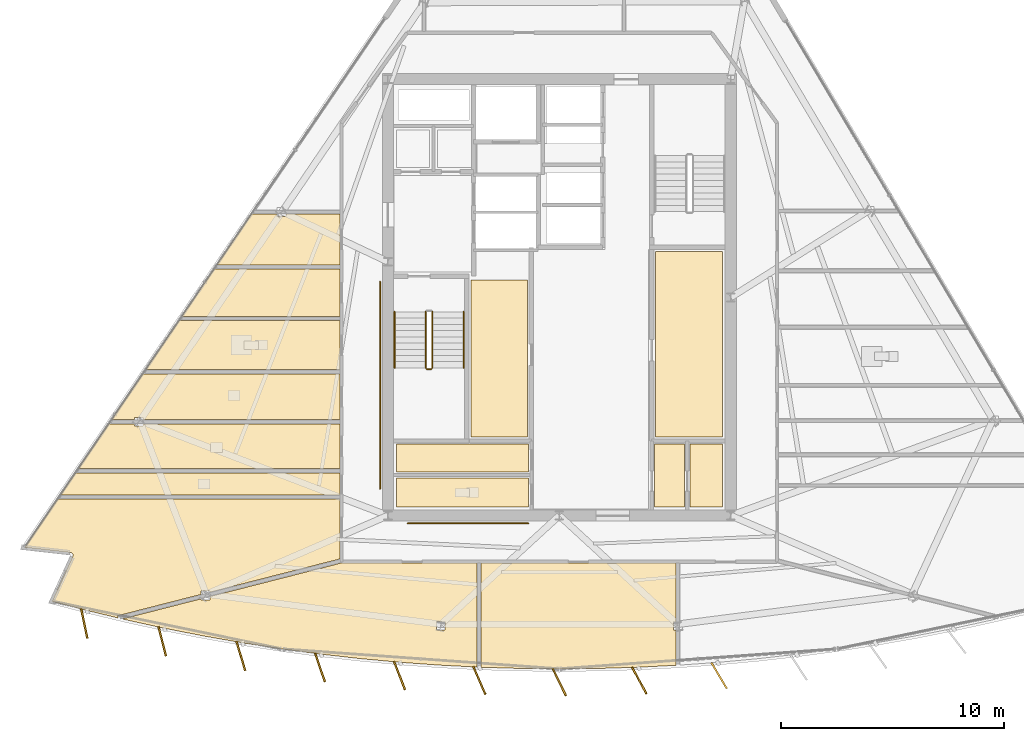
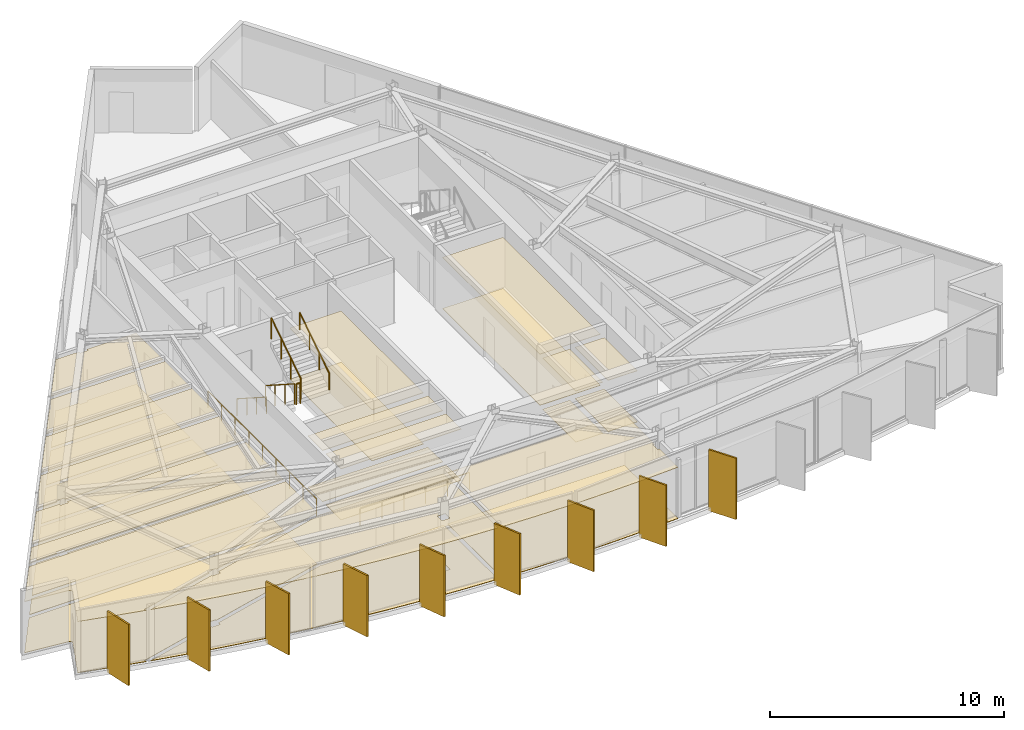
# One storey, part 10 of 13: 30 coverings, 9 shading devices, 7 railings.
"""IFC4 building model written with IfcOpenShell, lengths in metres."""

from ifc_helpers import new_model, si_unit, direction, frame, origin, origin_2d, place, context, subcontext, project, spatial, polyline, rectangle, circle, outline, extrude, material, layer, layer_set, type_object, element, save


model = new_model("IFC4")

# Units and contexts
model_context = context("Model", 3, precision=1e-05, world=origin(), true_north=direction((0.0, 1.0)))
body_context = subcontext(model_context, "Body", "Model", "MODEL_VIEW")
ifc_project = project(units=[si_unit("LENGTHUNIT", "METRE"), si_unit("AREAUNIT", "SQUARE_METRE"), si_unit("VOLUMEUNIT", "CUBIC_METRE"), si_unit("PLANEANGLEUNIT", "RADIAN"), si_unit("MASSUNIT", "GRAM", prefix="KILO")], contexts=[model_context])

# Site, building, storey
site_placement = place(None, origin())
site = spatial("IfcSite", under=ifc_project, at=site_placement, CompositionType="ELEMENT")
building_placement = place(site_placement, origin())
building = spatial("IfcBuilding", under=site, at=building_placement, Name="Savorim Split Tower", CompositionType="ELEMENT")
storey_placement = place(building_placement, frame((0.0, 0.0, 250.800048828125)))
storey = spatial("IfcBuildingStorey", under=building, at=storey_placement, Name="L66", CompositionType="ELEMENT", Elevation=250.800048828125)

# Coverings
ifc_material_1 = material(Name="Mineral Fibre Acoustic Ceiling")
ifc_layer_1 = layer(ifc_material_1, 0.02490234375)
ifc_layer_set_1 = layer_set([ifc_layer_1], Name="COV-CEIL-25")
covering_type_1 = type_object("IfcCoveringType", Name="COV-CEIL-25", PredefinedType="CEILING", material=ifc_layer_set_1)
covering_1_placement = place(storey_placement, frame((0.0, 0.0, 2.669921875)))
element("IfcCovering", 1, at=covering_1_placement, inside=storey, type_object=covering_type_1, Name="L66 Shared Pantry and Linen Room Acoustic Ceiling", PredefinedType="CEILING", context=body_context, shape_type="SweptSolid", body=[
    extrude(outline(polyline([(4.330078125, 2.469970703125), (4.330078125, -5.8701171875), (7.320068359375, -5.8701171875), (7.320068359375, 2.469970703125), (4.330078125, 2.469970703125)])), origin(), (0.0, 0.0, 1.0), 0.025146484375),
])
covering_2_placement = place(storey_placement, frame((0.0, 0.0, 2.669921875)))
element("IfcCovering", 2, at=covering_2_placement, inside=storey, type_object=covering_type_1, Name="L66 Housekeeping and Parcel Room Acoustic Ceiling", PredefinedType="CEILING", context=body_context, shape_type="SweptSolid", body=[
    extrude(outline(polyline([(-3.969970703125, 1.169921875), (-3.969970703125, -5.8701171875), (-1.429931640625, -5.8701171875), (-1.429931640625, 1.169921875), (-3.969970703125, 1.169921875)])), origin(), (0.0, 0.0, 1.0), 0.025146484375),
])
covering_3_placement = place(storey_placement, frame((0.0, 0.0, 2.669921875)))
element("IfcCovering", 3, at=covering_3_placement, inside=storey, type_object=covering_type_1, Name="L66 Cleaning Store Acoustic Ceiling", PredefinedType="CEILING", context=body_context, shape_type="SweptSolid", body=[
    extrude(outline(polyline([(-7.320068359375, -6.179931640625), (-7.320068359375, -7.43994140625), (-1.3798828125, -7.43994140625), (-1.3798828125, -6.179931640625), (-7.320068359375, -6.179931640625)])), origin(), (0.0, 0.0, 1.0), 0.025146484375),
])
covering_4_placement = place(storey_placement, frame((0.0, 0.0, 2.669921875)))
element("IfcCovering", 4, at=covering_4_placement, inside=storey, type_object=covering_type_1, Name="L66 Public WC Acoustic Ceiling", PredefinedType="CEILING", context=body_context, shape_type="SweptSolid", body=[
    extrude(outline(polyline([(-7.320068359375, -7.719970703125), (-7.320068359375, -9.02001953125), (-1.3798828125, -9.02001953125), (-1.3798828125, -7.719970703125), (-7.320068359375, -7.719970703125)])), origin(), (0.0, 0.0, 1.0), 0.025146484375),
])
covering_5_placement = place(storey_placement, frame((0.0, 0.0, 2.669921875)))
element("IfcCovering", 5, at=covering_5_placement, inside=storey, type_object=covering_type_1, Name="L66 Vending Pantry Acoustic Ceiling", PredefinedType="CEILING", context=body_context, shape_type="SweptSolid", body=[
    extrude(outline(polyline([(4.280029296875, -6.179931640625), (4.280029296875, -9.02001953125), (5.6201171875, -9.02001953125), (5.6201171875, -6.179931640625), (4.280029296875, -6.179931640625)])), origin(), (0.0, 0.0, 1.0), 0.025146484375),
])
covering_6_placement = place(storey_placement, frame((0.0, 0.0, 2.669921875)))
element("IfcCovering", 6, at=covering_6_placement, inside=storey, type_object=covering_type_1, Name="L66 Recycling Chute Room Acoustic Ceiling", PredefinedType="CEILING", context=body_context, shape_type="SweptSolid", body=[
    extrude(outline(polyline([(5.8798828125, -6.179931640625), (5.8798828125, -9.02001953125), (7.320068359375, -9.02001953125), (7.320068359375, -6.179931640625), (5.8798828125, -6.179931640625)])), origin(), (0.0, 0.0, 1.0), 0.025146484375),
])
covering_7_placement = place(storey_placement, frame((0.0, 0.0, 2.669921875)))
element("IfcCovering", 7, at=covering_7_placement, inside=storey, type_object=covering_type_1, Name="L66 Shared Bathroom Acoustic Ceiling", PredefinedType="CEILING", context=body_context, shape_type="SweptSolid", body=[
    extrude(outline(polyline([(-17.078857421875, -0.643798828125), (-18.57568359375, -2.84423828125), (-9.840087890625, -2.84423828125), (-9.840087890625, -0.643798828125), (-17.078857421875, -0.643798828125)])), origin(), (0.0, 0.0, 1.0), 0.025146484375),
])
covering_8_placement = place(storey_placement, frame((0.0, 0.0, 2.669921875)))
element("IfcCovering", 8, at=covering_8_placement, inside=storey, type_object=covering_type_1, Name="L66 Shared Kitchen Acoustic Ceiling", PredefinedType="CEILING", context=body_context, shape_type="SweptSolid", body=[
    extrude(outline(polyline([(-18.68798828125, -4.987548828125), (-18.68798828125, -5.08837890625), (-9.840087890625, -5.08837890625), (-9.840087890625, -3.0341796875), (-18.705078125, -3.0341796875), (-20.1025390625, -5.08837890625), (-19.081787109375, -5.08837890625), (-19.081787109375, -4.987548828125), (-18.68798828125, -4.987548828125)])), origin(), (0.0, 0.0, 1.0), 0.025146484375),
])
covering_9_placement = place(storey_placement, frame((0.0, 0.0, 2.669921875)))
element("IfcCovering", 9, at=covering_9_placement, inside=storey, type_object=covering_type_1, Name="L66 Shared Kitchen Acoustic Ceiling", PredefinedType="CEILING", context=body_context, shape_type="SweptSolid", body=[
    extrude(outline(polyline([(-20.106689453125, -5.278564453125), (-20.20166015625, -5.278564453125), (-20.20166015625, -5.234130859375), (-21.603515625, -7.295166015625), (-9.840087890625, -7.295166015625), (-9.840087890625, -5.278564453125), (-18.68798828125, -5.278564453125), (-18.68798828125, -5.37939453125), (-19.081787109375, -5.37939453125), (-19.081787109375, -5.278564453125), (-20.106689453125, -5.278564453125)])), origin(), (0.0, 0.0, 1.0), 0.025146484375),
])
covering_10_placement = place(storey_placement, frame((0.0, 0.0, 2.669921875)))
element("IfcCovering", 10, at=covering_10_placement, inside=storey, type_object=covering_type_1, Name="L66 Community Laundry Room Acoustic Ceiling", PredefinedType="CEILING", context=body_context, shape_type="SweptSolid", body=[
    extrude(outline(polyline([(-9.840087890625, -8.4736328125), (-9.840087890625, -7.485107421875), (-21.73291015625, -7.485107421875), (-22.4052734375, -8.4736328125), (-9.840087890625, -8.4736328125)])), origin(), (0.0, 0.0, 1.0), 0.025146484375),
])
covering_11_placement = place(storey_placement, frame((0.0, 0.0, 2.669921875)))
element("IfcCovering", 11, at=covering_11_placement, inside=storey, type_object=covering_type_1, Name="L66 Co-Working Commons Acoustic Ceiling", PredefinedType="CEILING", context=body_context, shape_type="SweptSolid", body=[
    extrude(outline(polyline([(-21.83837890625, -11.18408203125), (-21.839111328125, -11.196044921875), (-21.84130859375, -11.2080078125), (-21.8447265625, -11.21923828125), (-21.84912109375, -11.23046875), (-22.7783203125, -13.2529296875), (-21.18994140625, -13.668212890625), (-19.814697265625, -13.998046875), (-19.83984375, -13.89990234375), (-16.087646484375, -12.94091796875), (-16.087646484375, -12.79248046875), (-15.693603515625, -12.79248046875), (-15.693603515625, -12.840087890625), (-9.857177734375, -11.3486328125), (-9.840087890625, -11.34423828125), (-9.840087890625, -8.66357421875), (-22.534423828125, -8.66357421875), (-24.0087890625, -10.83056640625), (-21.94482421875, -11.06103515625), (-21.93310546875, -11.06298828125), (-21.921630859375, -11.06591796875), (-21.910400390625, -11.0703125), (-21.899658203125, -11.075439453125), (-21.8896484375, -11.081787109375), (-21.880126953125, -11.089111328125), (-21.87158203125, -11.097412109375), (-21.86376953125, -11.1064453125), (-21.856689453125, -11.1162109375), (-21.850830078125, -11.12646484375), (-21.84619140625, -11.137451171875), (-21.84228515625, -11.148681640625), (-21.83984375, -11.160400390625), (-21.83837890625, -11.17236328125), (-21.83837890625, -11.18408203125)])), origin(), (0.0, 0.0, 1.0), 0.025146484375),
])
covering_12_placement = place(storey_placement, frame((0.0, 0.0, 2.669921875)))
element("IfcCovering", 12, at=covering_12_placement, inside=storey, type_object=covering_type_1, Name="L66 Maker Workshop Acoustic Ceiling", PredefinedType="CEILING", context=body_context, shape_type="SweptSolid", body=[
    extrude(outline(polyline([(-8.90283203125, -15.827392578125), (-7.126953125, -15.991455078125), (-5.34765625, -16.118896484375), (-3.704345703125, -16.203125), (-3.704345703125, -11.5400390625), (-9.699951171875, -11.5400390625), (-9.713623046875, -11.539306640625), (-9.727294921875, -11.537353515625), (-9.740478515625, -11.533935546875), (-9.753662109375, -11.529296875), (-9.76611328125, -11.5234375), (-9.768310546875, -11.52197265625), (-15.693603515625, -13.036376953125), (-15.693603515625, -13.1845703125), (-16.087646484375, -13.1845703125), (-16.087646484375, -13.136962890625), (-19.6298828125, -14.04248046875), (-19.45556640625, -14.084228515625), (-17.712890625, -14.464599609375), (-15.962646484375, -14.80908203125), (-14.2060546875, -15.117919921875), (-12.443359375, -15.390380859375), (-10.67529296875, -15.626953125), (-8.90283203125, -15.827392578125)]), holes=[polyline([(-5.522705078125, -14.541015625), (-5.12890625, -14.541015625), (-5.12890625, -14.149169921875), (-5.522705078125, -14.149169921875), (-5.522705078125, -14.541015625)])]), origin(), (0.0, 0.0, 1.0), 0.025146484375),
])
covering_13_placement = place(storey_placement, frame((0.0, 0.0, 2.669921875)))
element("IfcCovering", 13, at=covering_13_placement, inside=storey, type_object=covering_type_1, Name="L66 Co-Working Commons Acoustic Ceiling", PredefinedType="CEILING", context=body_context, shape_type="SweptSolid", body=[
    extrude(outline(polyline([(-1.783447265625, -16.264892578125), (0.0, -16.283203125), (1.783447265625, -16.264892578125), (3.56640625, -16.210205078125), (5.230712890625, -16.125), (5.230712890625, -14.541015625), (5.12890625, -14.541015625), (5.12890625, -14.149169921875), (5.230712890625, -14.149169921875), (5.230712890625, -11.5400390625), (-3.514404296875, -11.5400390625), (-3.514404296875, -16.2119140625), (-1.783447265625, -16.264892578125)])), origin(), (0.0, 0.0, 1.0), 0.025146484375),
])
covering_14_placement = place(storey_placement, frame((0.0, 0.0, 2.669921875)))
element("IfcCovering", 14, at=covering_14_placement, inside=storey, type_object=covering_type_1, Name="L66 Co-Living Bedroom Acoustic Ceiling", PredefinedType="CEILING", context=body_context, shape_type="SweptSolid", body=[
    extrude(outline(polyline([(-12.6767578125, 4.136962890625), (-13.701416015625, 4.136962890625), (-13.79638671875, 4.136962890625), (-13.79638671875, 4.181396484375), (-15.373291015625, 1.86328125), (-9.840087890625, 1.86328125), (-9.840087890625, 4.136962890625), (-12.28271484375, 4.136962890625), (-12.28271484375, 4.035888671875), (-12.6767578125, 4.035888671875), (-12.6767578125, 4.136962890625)])), origin(), (0.0, 0.0, 1.0), 0.025146484375),
])
covering_15_placement = place(storey_placement, frame((0.0, 0.0, 2.669921875)))
element("IfcCovering", 15, at=covering_15_placement, inside=storey, type_object=covering_type_1, Name="L66 Quiet Study Room Acoustic Ceiling", PredefinedType="CEILING", context=body_context, shape_type="SweptSolid", body=[
    extrude(outline(polyline([(-15.50244140625, 1.67333984375), (-16.94970703125, -0.453857421875), (-9.840087890625, -0.453857421875), (-9.840087890625, 1.67333984375), (-15.50244140625, 1.67333984375)])), origin(), (0.0, 0.0, 1.0), 0.025146484375),
])
ifc_material_2 = material(Name="Porcelain Stoneware Flooring", Category="masonry")
ifc_layer_2 = layer(ifc_material_2, 0.02001953125)
ifc_layer_set_2 = layer_set([ifc_layer_2], Name="COV-FLOR-20")
covering_type_2 = type_object("IfcCoveringType", Name="COV-FLOR-20", PredefinedType="FLOORING", material=ifc_layer_set_2)
covering_16_placement = place(storey_placement, origin())
element("IfcCovering", 16, at=covering_16_placement, inside=storey, type_object=covering_type_2, Name="L66 Shared Pantry and Linen Room Porcelain Flooring", PredefinedType="FLOORING", context=body_context, shape_type="SweptSolid", body=[
    extrude(outline(polyline([(4.330078125, 2.469970703125), (4.330078125, -5.8701171875), (7.320068359375, -5.8701171875), (7.320068359375, 2.469970703125), (4.330078125, 2.469970703125)])), origin(), (0.0, 0.0, 1.0), 0.02001953125),
])
covering_17_placement = place(storey_placement, origin())
element("IfcCovering", 17, at=covering_17_placement, inside=storey, type_object=covering_type_2, Name="L66 Housekeeping and Parcel Room Porcelain Flooring", PredefinedType="FLOORING", context=body_context, shape_type="SweptSolid", body=[
    extrude(outline(polyline([(-3.969970703125, 1.169921875), (-3.969970703125, -5.8701171875), (-1.429931640625, -5.8701171875), (-1.429931640625, 1.169921875), (-3.969970703125, 1.169921875)])), origin(), (0.0, 0.0, 1.0), 0.02001953125),
])
covering_18_placement = place(storey_placement, origin())
element("IfcCovering", 18, at=covering_18_placement, inside=storey, type_object=covering_type_2, Name="L66 Cleaning Store Porcelain Flooring", PredefinedType="FLOORING", context=body_context, shape_type="SweptSolid", body=[
    extrude(outline(polyline([(-7.320068359375, -6.179931640625), (-7.320068359375, -7.43994140625), (-1.3798828125, -7.43994140625), (-1.3798828125, -6.179931640625), (-7.320068359375, -6.179931640625)])), origin(), (0.0, 0.0, 1.0), 0.02001953125),
])
covering_19_placement = place(storey_placement, origin())
element("IfcCovering", 19, at=covering_19_placement, inside=storey, type_object=covering_type_2, Name="L66 Public WC Porcelain Flooring", PredefinedType="FLOORING", context=body_context, shape_type="SweptSolid", body=[
    extrude(outline(polyline([(-7.320068359375, -7.719970703125), (-7.320068359375, -9.02001953125), (-1.3798828125, -9.02001953125), (-1.3798828125, -7.719970703125), (-7.320068359375, -7.719970703125)])), origin(), (0.0, 0.0, 1.0), 0.02001953125),
])
covering_20_placement = place(storey_placement, origin())
element("IfcCovering", 20, at=covering_20_placement, inside=storey, type_object=covering_type_2, Name="L66 Vending Pantry Porcelain Flooring", PredefinedType="FLOORING", context=body_context, shape_type="SweptSolid", body=[
    extrude(outline(polyline([(4.280029296875, -6.179931640625), (4.280029296875, -9.02001953125), (5.6201171875, -9.02001953125), (5.6201171875, -6.179931640625), (4.280029296875, -6.179931640625)])), origin(), (0.0, 0.0, 1.0), 0.02001953125),
])
covering_21_placement = place(storey_placement, origin())
element("IfcCovering", 21, at=covering_21_placement, inside=storey, type_object=covering_type_2, Name="L66 Recycling Chute Room Porcelain Flooring", PredefinedType="FLOORING", context=body_context, shape_type="SweptSolid", body=[
    extrude(outline(polyline([(5.8798828125, -6.179931640625), (5.8798828125, -9.02001953125), (7.320068359375, -9.02001953125), (7.320068359375, -6.179931640625), (5.8798828125, -6.179931640625)])), origin(), (0.0, 0.0, 1.0), 0.02001953125),
])
covering_22_placement = place(storey_placement, origin())
element("IfcCovering", 22, at=covering_22_placement, inside=storey, type_object=covering_type_2, Name="L66 Shared Bathroom Porcelain Flooring", PredefinedType="FLOORING", context=body_context, shape_type="SweptSolid", body=[
    extrude(outline(polyline([(-17.078857421875, -0.643798828125), (-18.57568359375, -2.84423828125), (-9.840087890625, -2.84423828125), (-9.840087890625, -0.643798828125), (-17.078857421875, -0.643798828125)])), origin(), (0.0, 0.0, 1.0), 0.02001953125),
])
covering_23_placement = place(storey_placement, origin())
element("IfcCovering", 23, at=covering_23_placement, inside=storey, type_object=covering_type_2, Name="L66 Shared Kitchen Porcelain Flooring", PredefinedType="FLOORING", context=body_context, shape_type="SweptSolid", body=[
    extrude(outline(polyline([(-18.68798828125, -4.987548828125), (-18.68798828125, -5.08837890625), (-9.840087890625, -5.08837890625), (-9.840087890625, -3.0341796875), (-18.705078125, -3.0341796875), (-20.1025390625, -5.08837890625), (-19.081787109375, -5.08837890625), (-19.081787109375, -4.987548828125), (-18.68798828125, -4.987548828125)])), origin(), (0.0, 0.0, 1.0), 0.02001953125),
])
covering_24_placement = place(storey_placement, origin())
element("IfcCovering", 24, at=covering_24_placement, inside=storey, type_object=covering_type_2, Name="L66 Shared Kitchen Porcelain Flooring", PredefinedType="FLOORING", context=body_context, shape_type="SweptSolid", body=[
    extrude(outline(polyline([(-20.106689453125, -5.278564453125), (-20.20166015625, -5.278564453125), (-20.20166015625, -5.234130859375), (-21.603515625, -7.295166015625), (-9.840087890625, -7.295166015625), (-9.840087890625, -5.278564453125), (-18.68798828125, -5.278564453125), (-18.68798828125, -5.37939453125), (-19.081787109375, -5.37939453125), (-19.081787109375, -5.278564453125), (-20.106689453125, -5.278564453125)])), origin(), (0.0, 0.0, 1.0), 0.02001953125),
])
covering_25_placement = place(storey_placement, origin())
element("IfcCovering", 25, at=covering_25_placement, inside=storey, type_object=covering_type_2, Name="L66 Community Laundry Room Porcelain Flooring", PredefinedType="FLOORING", context=body_context, shape_type="SweptSolid", body=[
    extrude(outline(polyline([(-9.840087890625, -8.4736328125), (-9.840087890625, -7.485107421875), (-21.73291015625, -7.485107421875), (-22.4052734375, -8.4736328125), (-9.840087890625, -8.4736328125)])), origin(), (0.0, 0.0, 1.0), 0.02001953125),
])
covering_26_placement = place(storey_placement, origin())
element("IfcCovering", 26, at=covering_26_placement, inside=storey, type_object=covering_type_2, Name="L66 Co-Working Commons Porcelain Flooring", PredefinedType="FLOORING", context=body_context, shape_type="SweptSolid", body=[
    extrude(outline(polyline([(-21.83837890625, -11.18408203125), (-21.839111328125, -11.196044921875), (-21.84130859375, -11.2080078125), (-21.8447265625, -11.21923828125), (-21.84912109375, -11.23046875), (-22.7783203125, -13.2529296875), (-21.18994140625, -13.668212890625), (-19.814697265625, -13.998046875), (-19.83984375, -13.89990234375), (-16.087646484375, -12.94091796875), (-16.087646484375, -12.79248046875), (-15.693603515625, -12.79248046875), (-15.693603515625, -12.840087890625), (-9.857177734375, -11.3486328125), (-9.840087890625, -11.34423828125), (-9.840087890625, -8.66357421875), (-22.534423828125, -8.66357421875), (-24.0087890625, -10.83056640625), (-21.94482421875, -11.06103515625), (-21.93310546875, -11.06298828125), (-21.921630859375, -11.06591796875), (-21.910400390625, -11.0703125), (-21.899658203125, -11.075439453125), (-21.8896484375, -11.081787109375), (-21.880126953125, -11.089111328125), (-21.87158203125, -11.097412109375), (-21.86376953125, -11.1064453125), (-21.856689453125, -11.1162109375), (-21.850830078125, -11.12646484375), (-21.84619140625, -11.137451171875), (-21.84228515625, -11.148681640625), (-21.83984375, -11.160400390625), (-21.83837890625, -11.17236328125), (-21.83837890625, -11.18408203125)])), origin(), (0.0, 0.0, 1.0), 0.02001953125),
])
covering_27_placement = place(storey_placement, origin())
element("IfcCovering", 27, at=covering_27_placement, inside=storey, type_object=covering_type_2, Name="L66 Maker Workshop Porcelain Flooring", PredefinedType="FLOORING", context=body_context, shape_type="SweptSolid", body=[
    extrude(outline(polyline([(-8.90283203125, -15.827392578125), (-7.126953125, -15.991455078125), (-5.34765625, -16.118896484375), (-3.704345703125, -16.203125), (-3.704345703125, -11.5400390625), (-9.699951171875, -11.5400390625), (-9.713623046875, -11.539306640625), (-9.727294921875, -11.537353515625), (-9.740478515625, -11.533935546875), (-9.753662109375, -11.529296875), (-9.76611328125, -11.5234375), (-9.768310546875, -11.52197265625), (-15.693603515625, -13.036376953125), (-15.693603515625, -13.1845703125), (-16.087646484375, -13.1845703125), (-16.087646484375, -13.136962890625), (-19.6298828125, -14.04248046875), (-19.45556640625, -14.084228515625), (-17.712890625, -14.464599609375), (-15.962646484375, -14.80908203125), (-14.2060546875, -15.117919921875), (-12.443359375, -15.390380859375), (-10.67529296875, -15.626953125), (-8.90283203125, -15.827392578125)]), holes=[polyline([(-5.522705078125, -14.541015625), (-5.12890625, -14.541015625), (-5.12890625, -14.149169921875), (-5.522705078125, -14.149169921875), (-5.522705078125, -14.541015625)])]), origin(), (0.0, 0.0, 1.0), 0.02001953125),
])
covering_28_placement = place(storey_placement, origin())
element("IfcCovering", 28, at=covering_28_placement, inside=storey, type_object=covering_type_2, Name="L66 Co-Working Commons Porcelain Flooring", PredefinedType="FLOORING", context=body_context, shape_type="SweptSolid", body=[
    extrude(outline(polyline([(-1.783447265625, -16.264892578125), (0.0, -16.283203125), (1.783447265625, -16.264892578125), (3.56640625, -16.210205078125), (5.230712890625, -16.125), (5.230712890625, -14.541015625), (5.12890625, -14.541015625), (5.12890625, -14.149169921875), (5.230712890625, -14.149169921875), (5.230712890625, -11.5400390625), (-3.514404296875, -11.5400390625), (-3.514404296875, -16.2119140625), (-1.783447265625, -16.264892578125)])), origin(), (0.0, 0.0, 1.0), 0.02001953125),
])
covering_29_placement = place(storey_placement, origin())
element("IfcCovering", 29, at=covering_29_placement, inside=storey, type_object=covering_type_2, Name="L66 Co-Living Bedroom Porcelain Flooring", PredefinedType="FLOORING", context=body_context, shape_type="SweptSolid", body=[
    extrude(outline(polyline([(-12.6767578125, 4.136962890625), (-13.701416015625, 4.136962890625), (-13.79638671875, 4.136962890625), (-13.79638671875, 4.181396484375), (-15.373291015625, 1.86328125), (-9.840087890625, 1.86328125), (-9.840087890625, 4.136962890625), (-12.28271484375, 4.136962890625), (-12.28271484375, 4.035888671875), (-12.6767578125, 4.035888671875), (-12.6767578125, 4.136962890625)])), origin(), (0.0, 0.0, 1.0), 0.02001953125),
])
covering_30_placement = place(storey_placement, origin())
element("IfcCovering", 30, at=covering_30_placement, inside=storey, type_object=covering_type_2, Name="L66 Quiet Study Room Porcelain Flooring", PredefinedType="FLOORING", context=body_context, shape_type="SweptSolid", body=[
    extrude(outline(polyline([(-15.50244140625, 1.67333984375), (-16.94970703125, -0.453857421875), (-9.840087890625, -0.453857421875), (-9.840087890625, 1.67333984375), (-15.50244140625, 1.67333984375)])), origin(), (0.0, 0.0, 1.0), 0.02001953125),
])

# Railings
ifc_material_3 = material(Name="Galvanised Painted Steel Balustrade", Category="steel")
railing_type_1 = type_object("IfcRailingType", Name="RLG-HR-900", PredefinedType="HANDRAIL", material=ifc_material_3)
railing_1_placement = place(storey_placement, frame((-7.39990234375, -0.25, 0.179931640625)))
element("IfcRailing", 31, at=railing_1_placement, inside=storey, type_object=railing_type_1, Name="L66 ST-1 stair handrail 1", PredefinedType="HANDRAIL", context=body_context, shape_type="SweptSolid", body=[
    extrude(circle(Radius=0.02392578125, at=origin_2d()), frame((0.0, 0.0, 0.8759765625), z_axis=(0.0, -0.841162588446, 0.540782303519), x_axis=(1.0, 0.0, 0.0)), (0.0, 0.0, 1.0), 2.995849609375),
    extrude(circle(Radius=0.02099609375, at=origin_2d()), origin(), (0.0, 0.0, 1.0), 0.851806640625),
    extrude(circle(Radius=0.02099609375, at=origin_2d()), frame((0.0, -0.840087890625, 0.5400390625)), (0.0, 0.0, 1.0), 0.851806640625),
    extrude(circle(Radius=0.02099609375, at=origin_2d()), frame((0.0, -1.679931640625, 1.080078125)), (0.0, 0.0, 1.0), 0.851806640625),
    extrude(circle(Radius=0.02099609375, at=origin_2d()), frame((0.0, -2.52001953125, 1.6201171875)), (0.0, 0.0, 1.0), 0.851806640625),
])
railing_2_placement = place(storey_placement, frame((-4.300048828125, -2.77001953125, 1.97998046875)))
element("IfcRailing", 32, at=railing_2_placement, inside=storey, type_object=railing_type_1, Name="L66 ST-1 stair handrail 2", PredefinedType="HANDRAIL", context=body_context, shape_type="SweptSolid", body=[
    extrude(circle(Radius=0.02392578125, at=origin_2d()), frame((0.0, 0.0, 0.8759765625), z_axis=(0.0, 0.841199657755, 0.540724639528), x_axis=(-1.0, 0.0, 0.0)), (0.0, 0.0, 1.0), 2.995849609375),
    extrude(circle(Radius=0.02099609375, at=origin_2d()), origin(), (0.0, 0.0, 1.0), 0.851806640625),
    extrude(circle(Radius=0.02099609375, at=origin_2d()), frame((0.0, 0.840087890625, 0.5400390625)), (0.0, 0.0, 1.0), 0.851806640625),
    extrude(circle(Radius=0.02099609375, at=origin_2d()), frame((0.0, 1.679931640625, 1.079833984375)), (0.0, 0.0, 1.0), 0.851806640625),
    extrude(circle(Radius=0.02099609375, at=origin_2d()), frame((0.0, 2.52001953125, 1.619873046875)), (0.0, 0.0, 1.0), 0.851806640625),
])
railing_3_placement = place(storey_placement, frame((-6.800048828125, -9.75, 0.0)))
element("IfcRailing", 33, at=railing_3_placement, inside=storey, type_object=railing_type_1, Name="L66 Corridor South Accessible Handrail", PredefinedType="HANDRAIL", context=body_context, shape_type="SweptSolid", body=[
    extrude(circle(Radius=0.02392578125, at=origin_2d()), frame((0.0, 0.0, 0.8759765625), z_axis=(1.0, 0.0, 0.0), x_axis=(0.0, 1.0, 0.0)), (0.0, 0.0, 1.0), 5.400146484375),
    extrude(circle(Radius=0.02099609375, at=origin_2d()), origin(), (0.0, 0.0, 1.0), 0.851806640625),
    extrude(circle(Radius=0.02099609375, at=origin_2d()), frame((1.080078125, 0.0, 0.0)), (0.0, 0.0, 1.0), 0.851806640625),
    extrude(circle(Radius=0.02099609375, at=origin_2d()), frame((2.16015625, 0.0, 0.0)), (0.0, 0.0, 1.0), 0.851806640625),
    extrude(circle(Radius=0.02099609375, at=origin_2d()), frame((3.239990234375, 0.0, 0.0)), (0.0, 0.0, 1.0), 0.851806640625),
    extrude(circle(Radius=0.02099609375, at=origin_2d()), frame((4.320068359375, 0.0, 0.0)), (0.0, 0.0, 1.0), 0.851806640625),
    extrude(circle(Radius=0.02099609375, at=origin_2d()), frame((5.400146484375, 0.0, 0.0)), (0.0, 0.0, 1.0), 0.851806640625),
])
railing_4_placement = place(storey_placement, frame((-8.050048828125, -8.199951171875, 0.0)))
element("IfcRailing", 34, at=railing_4_placement, inside=storey, type_object=railing_type_1, Name="L66 Corridor West Accessible Handrail", PredefinedType="HANDRAIL", context=body_context, shape_type="SweptSolid", body=[
    extrude(circle(Radius=0.02392578125, at=origin_2d()), frame((0.0, 0.0, 0.8759765625), z_axis=(0.0, 1.0, 0.0), x_axis=(-1.0, 0.0, 0.0)), (0.0, 0.0, 1.0), 9.300048828125),
    extrude(circle(Radius=0.02099609375, at=origin_2d()), origin(), (0.0, 0.0, 1.0), 0.851806640625),
    extrude(circle(Radius=0.02099609375, at=origin_2d()), frame((0.0, 1.16259765625, 0.0)), (0.0, 0.0, 1.0), 0.851806640625),
    extrude(circle(Radius=0.02099609375, at=origin_2d()), frame((0.0, 2.324951171875, 0.0)), (0.0, 0.0, 1.0), 0.851806640625),
    extrude(circle(Radius=0.02099609375, at=origin_2d()), frame((0.0, 3.487548828125, 0.0)), (0.0, 0.0, 1.0), 0.851806640625),
    extrude(circle(Radius=0.02099609375, at=origin_2d()), frame((0.0, 4.64990234375, 0.0)), (0.0, 0.0, 1.0), 0.851806640625),
    extrude(circle(Radius=0.02099609375, at=origin_2d()), frame((0.0, 5.8125, 0.0)), (0.0, 0.0, 1.0), 0.851806640625),
    extrude(circle(Radius=0.02099609375, at=origin_2d()), frame((0.0, 6.97509765625, 0.0)), (0.0, 0.0, 1.0), 0.851806640625),
    extrude(circle(Radius=0.02099609375, at=origin_2d()), frame((0.0, 8.137451171875, 0.0)), (0.0, 0.0, 1.0), 0.851806640625),
    extrude(circle(Radius=0.02099609375, at=origin_2d()), frame((0.0, 9.300048828125, 0.0)), (0.0, 0.0, 1.0), 0.851806640625),
])
railing_type_2 = type_object("IfcRailingType", Name="RLG-STG-1100", PredefinedType="BALUSTRADE", material=ifc_material_3)
railing_5_placement = place(storey_placement, frame((-6.0, -0.25, 0.179931640625)))
element("IfcRailing", 35, at=railing_5_placement, inside=storey, type_object=railing_type_2, Name="L66 ST-1 stair guard 1", PredefinedType="BALUSTRADE", context=body_context, shape_type="SweptSolid", body=[
    extrude(circle(Radius=0.02392578125, at=origin_2d()), frame((0.0, 0.0, 1.076171875), z_axis=(0.0, -0.841162588446, 0.540782303519), x_axis=(1.0, 0.0, 0.0)), (0.0, 0.0, 1.0), 2.995849609375),
    extrude(circle(Radius=0.02099609375, at=origin_2d()), origin(), (0.0, 0.0, 1.0), 1.052001953125),
    extrude(circle(Radius=0.02099609375, at=origin_2d()), frame((0.0, -0.840087890625, 0.5400390625)), (0.0, 0.0, 1.0), 1.052001953125),
    extrude(circle(Radius=0.02099609375, at=origin_2d()), frame((0.0, -1.679931640625, 1.080078125)), (0.0, 0.0, 1.0), 1.052001953125),
    extrude(circle(Radius=0.02099609375, at=origin_2d()), frame((0.0, -2.52001953125, 1.6201171875)), (0.0, 0.0, 1.0), 1.052001953125),
])
railing_6_placement = place(storey_placement, frame((-5.949951171875, -2.820068359375, 1.800048828125)))
element("IfcRailing", 36, at=railing_6_placement, inside=storey, type_object=railing_type_2, Name="L66 ST-1 stair guard 2", PredefinedType="BALUSTRADE", context=body_context, shape_type="SweptSolid", body=[
    extrude(circle(Radius=0.02392578125, at=origin_2d()), frame((0.0, 0.0, 1.076171875), z_axis=(1.0, 0.0, 0.0), x_axis=(0.0, 1.0, 0.0)), (0.0, 0.0, 1.0), 0.199951171875),
    extrude(circle(Radius=0.02099609375, at=origin_2d()), origin(), (0.0, 0.0, 1.0), 1.052001953125),
    extrude(circle(Radius=0.02099609375, at=origin_2d()), frame((0.199951171875, 0.0, 0.0)), (0.0, 0.0, 1.0), 1.052001953125),
])
railing_7_placement = place(storey_placement, frame((-5.699951171875, -2.77001953125, 1.97998046875)))
element("IfcRailing", 37, at=railing_7_placement, inside=storey, type_object=railing_type_2, Name="L66 ST-1 stair guard 3", PredefinedType="BALUSTRADE", context=body_context, shape_type="SweptSolid", body=[
    extrude(circle(Radius=0.02392578125, at=origin_2d()), frame((0.0, 0.0, 1.076171875), z_axis=(0.0, 0.841199657755, 0.540724639528), x_axis=(-1.0, 0.0, 0.0)), (0.0, 0.0, 1.0), 2.995849609375),
    extrude(circle(Radius=0.02099609375, at=origin_2d()), origin(), (0.0, 0.0, 1.0), 1.052001953125),
    extrude(circle(Radius=0.02099609375, at=origin_2d()), frame((0.0, 0.840087890625, 0.5400390625)), (0.0, 0.0, 1.0), 1.052001953125),
    extrude(circle(Radius=0.02099609375, at=origin_2d()), frame((0.0, 1.679931640625, 1.079833984375)), (0.0, 0.0, 1.0), 1.052001953125),
    extrude(circle(Radius=0.02099609375, at=origin_2d()), frame((0.0, 2.52001953125, 1.619873046875)), (0.0, 0.0, 1.0), 1.052001953125),
])

# Shading devices
ifc_material_4 = material(Name="Terracotta Ceramic-Coated Aluminium Fin", Category="masonry")
shading_device_type = type_object("IfcShadingDeviceType", Name="SHD-FIN-1360", PredefinedType="USERDEFINED", material=ifc_material_4)
for number, where, z_axis, x_axis, name in (
    (38, (-21.3349609375, -14.246337890625, -0.2001953125), (0.0, 0.0, 1.0), (0.206721626106, -0.978399800337, 0.0), "L66 Sawtooth Shading Fin 01"),
    (39, (-17.833984375, -15.048095703125, -0.2001953125), (0.0, 0.0, 1.0), (0.246581250663, -0.969122121727, 0.0), "L66 Sawtooth Shading Fin 02"),
    (40, (-14.302978515625, -15.705810546875, -0.2001953125), (0.0, 0.0, 1.0), (0.286026212504, -0.958221793616, 0.0), "L66 Sawtooth Shading Fin 03"),
    (41, (-10.748291015625, -16.218505859375, -0.2001953125), (0.0, 0.0, 1.0), (0.324993810493, -0.945716143005, 0.0), "L66 Sawtooth Shading Fin 04"),
    (42, (-7.175537109375, -16.58544921875, -0.2001953125), (0.0, 0.0, 1.0), (0.363415461732, -0.931627179817, 0.0), "L66 Sawtooth Shading Fin 05"),
    (43, (-3.5908203125, -16.8056640625, -0.2001953125), (0.0, 0.0, 1.0), (0.401230091723, -0.915977299662, 0.0), "L66 Sawtooth Shading Fin 06"),
    (44, (0.0, -16.879150390625, -0.2001953125), (0.0, 0.0, 1.0), (0.438371146789, -0.898794046299, 0.0), "L66 Sawtooth Shading Fin 07"),
    (45, (3.5908203125, -16.8056640625, -0.2001953125), (0.0, 0.0, 1.0), (0.474778051978, -0.880105562623, 0.0), "L66 Sawtooth Shading Fin 08"),
    (46, (7.175537109375, -16.58544921875, -0.2001953125), (0.0, 0.0, 1.0), (0.510391336723, -0.859942255851, 0.0), "L66 Sawtooth Shading Fin 09"),
):
    element("IfcShadingDevice", number, at=place(storey_placement, frame(where, z_axis=z_axis, x_axis=x_axis)), inside=storey, type_object=shading_device_type, Name=name, ObjectType="FIN", PredefinedType="USERDEFINED", context=body_context, shape_type="SweptSolid", body=[
        extrude(rectangle(XDim=1.360107421875, YDim=0.080078125, at=origin_2d()), origin(), (0.0, 0.0, 1.0), 3.199951171875),
    ])

save(model, "model.ifc")
